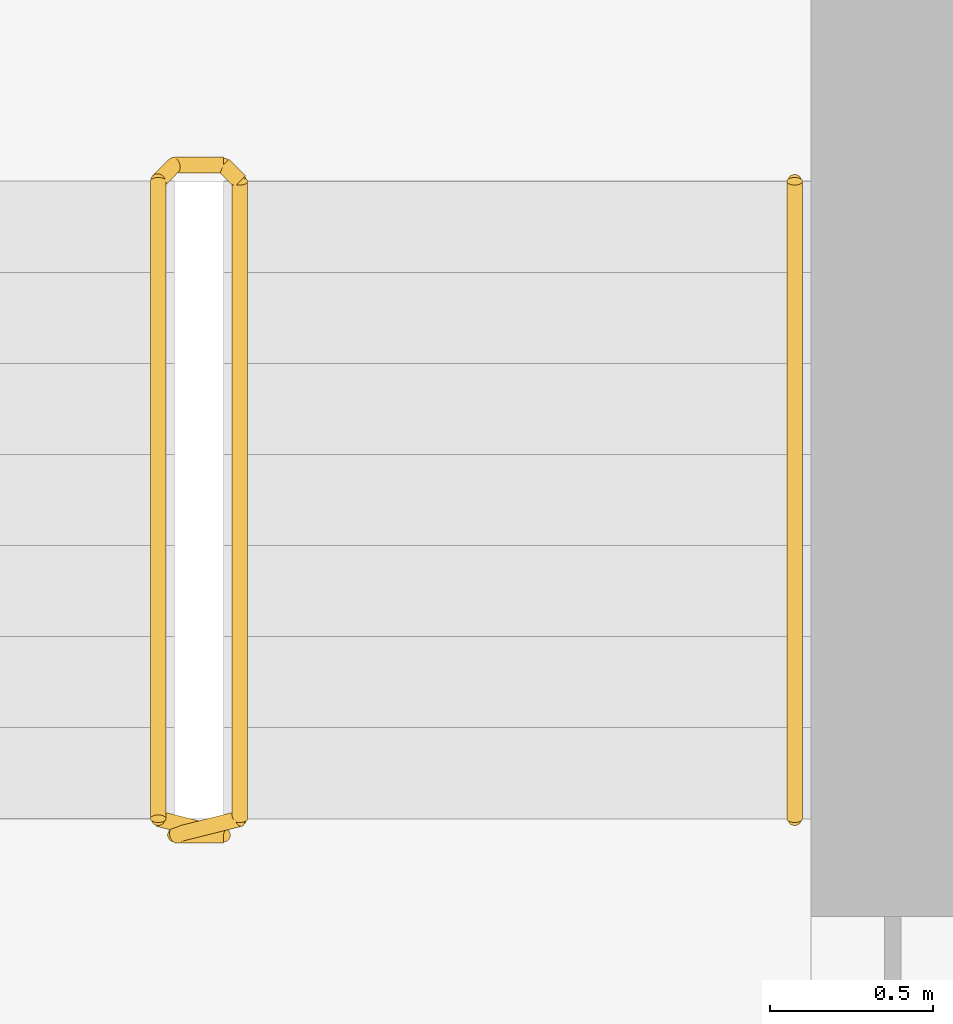
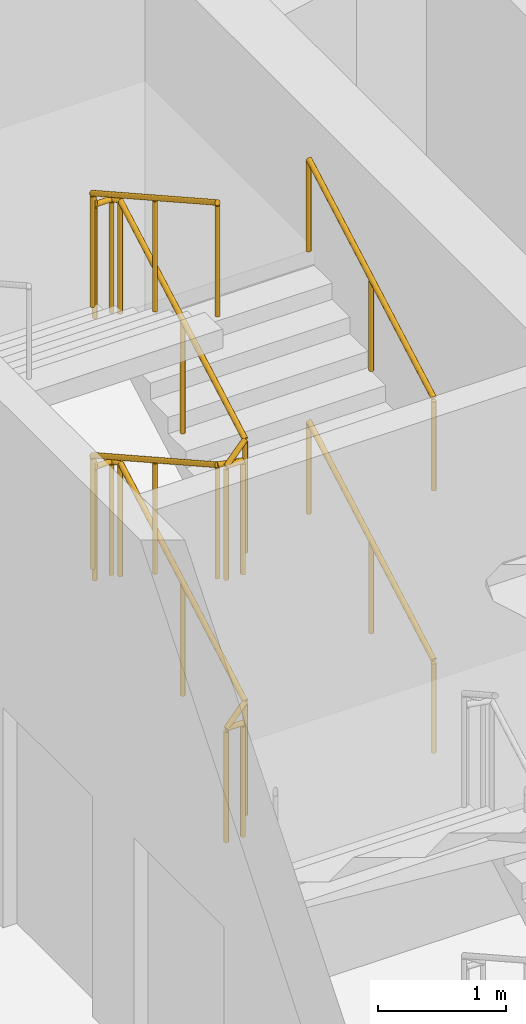
# One storey, part 9 of 9: 3 railings.
"""IFC4 building model written with IfcOpenShell, lengths in metres."""

from ifc_helpers import new_model, si_unit, direction, frame, origin, origin_2d, place, context, subcontext, project, spatial, circle, extrude, material, type_object, element, save


model = new_model("IFC4")

# Units and contexts
model_context = context("Model", 3, precision=1e-05, world=origin(), true_north=direction((0.0, 1.0)))
body_context = subcontext(model_context, "Body", "Model", "MODEL_VIEW")
ifc_project = project(units=[si_unit("LENGTHUNIT", "METRE"), si_unit("AREAUNIT", "SQUARE_METRE"), si_unit("VOLUMEUNIT", "CUBIC_METRE"), si_unit("PLANEANGLEUNIT", "RADIAN"), si_unit("MASSUNIT", "GRAM", prefix="KILO")], contexts=[model_context])

# Site, building, storey
site_placement = place(None, origin())
site = spatial("IfcSite", under=ifc_project, at=site_placement, CompositionType="ELEMENT")
building_placement = place(site_placement, origin())
building = spatial("IfcBuilding", under=site, at=building_placement, Name="Calabash Gate Tower", CompositionType="ELEMENT")
storey_placement = place(building_placement, frame((0.0, 0.0, 330.5)))
storey = spatial("IfcBuildingStorey", under=building, at=storey_placement, Name="L77", CompositionType="ELEMENT", Elevation=330.5)

# Railings
ifc_material_1 = material(Name="Black powder-coated steel balusters", Category="steel")
railing_type_1 = type_object("IfcRailingType", Name="Stair guard RL1100", PredefinedType="GUARDRAIL", material=ifc_material_1)
railing_placement = place(storey_placement, frame((10.300048828125, 13.902587890625, 0.0)))
element("IfcRailing", 1, at=railing_placement, inside=storey, type_object=railing_type_1, Name="L77 ST3 stair guard 1", PredefinedType="GUARDRAIL", context=body_context, shape_type="SweptSolid", body=[
    extrude(circle(Radius=0.02392578125, at=origin_2d()), frame((0.0, 0.0, 1.076171875), z_axis=(-1.0, 0.0, 0.0), x_axis=(0.0, -1.0, 0.0)), (0.0, 0.0, 1.0), 0.150146484375),
    extrude(circle(Radius=0.02392578125, at=origin_2d()), frame((-0.150146484375, 0.0, 1.076171875), z_axis=(0.773438643492, 0.193359660873, 0.603659429067), x_axis=(-0.242535625036, 0.970142500145, 0.0)), (0.0, 0.0, 1.0), 0.2587890625),
    extrude(circle(Radius=0.02392578125, at=origin_2d()), frame((0.050048828125, 0.050048828125, 1.232421875), z_axis=(0.0, 0.872479975208, 0.48864986735), x_axis=(-1.0, 0.0, 0.0)), (0.0, 0.0, 1.0), 2.23828125),
    extrude(circle(Radius=0.02392578125, at=origin_2d()), frame((0.050048828125, 2.0029296875, 2.326171875), z_axis=(-0.707106781187, 0.707106781187, 0.0), x_axis=(-0.707106781187, -0.707106781187, 0.0)), (0.0, 0.0, 1.0), 0.07080078125),
    extrude(circle(Radius=0.02392578125, at=origin_2d()), frame((0.0, 2.052978515625, 2.326171875), z_axis=(-1.0, 0.0, 0.0), x_axis=(0.0, -1.0, 0.0)), (0.0, 0.0, 1.0), 0.150146484375),
    extrude(circle(Radius=0.02392578125, at=origin_2d()), frame((-0.150146484375, 2.052978515625, 2.326171875), z_axis=(-0.290469530425, -0.291893400672, 0.911276958196), x_axis=(0.708833529934, -0.705375805398, 0.0)), (0.0, 0.0, 1.0), 0.17138671875),
    extrude(circle(Radius=0.02392578125, at=origin_2d()), frame((-0.199951171875, 2.0029296875, 2.482421875), z_axis=(0.0, -0.872479975208, 0.48864986735), x_axis=(1.0, 0.0, 0.0)), (0.0, 0.0, 1.0), 2.23828125),
    extrude(circle(Radius=0.02392578125, at=origin_2d()), frame((-0.199951171875, 0.050048828125, 3.576171875), z_axis=(0.970072785993, -0.242814311512, 0.0), x_axis=(0.242814311512, 0.970072785993, 0.0)), (0.0, 0.0, 1.0), 0.2060546875),
    extrude(circle(Radius=0.02392578125, at=origin_2d()), frame((0.0, 0.0, 3.576171875), z_axis=(-1.0, 0.0, 0.0), x_axis=(0.0, -1.0, 0.0)), (0.0, 0.0, 1.0), 0.150146484375),
    extrude(circle(Radius=0.02392578125, at=origin_2d()), frame((-0.150146484375, 0.0, 3.576171875), z_axis=(0.773438643492, 0.193359660873, 0.603659429067), x_axis=(-0.242535625036, 0.970142500145, 0.0)), (0.0, 0.0, 1.0), 0.2587890625),
    extrude(circle(Radius=0.02392578125, at=origin_2d()), frame((0.050048828125, 0.050048828125, 3.732421875), z_axis=(0.0, 0.872479975208, 0.48864986735), x_axis=(-1.0, 0.0, 0.0)), (0.0, 0.0, 1.0), 2.23828125),
    extrude(circle(Radius=0.02392578125, at=origin_2d()), frame((0.050048828125, 2.0029296875, 4.826171875), z_axis=(-0.707106781187, 0.707106781187, 0.0), x_axis=(-0.707106781187, -0.707106781187, 0.0)), (0.0, 0.0, 1.0), 0.07080078125),
    extrude(circle(Radius=0.02392578125, at=origin_2d()), frame((0.0, 2.052978515625, 4.826171875), z_axis=(-1.0, 0.0, 0.0), x_axis=(0.0, -1.0, 0.0)), (0.0, 0.0, 1.0), 0.150146484375),
    extrude(circle(Radius=0.02392578125, at=origin_2d()), frame((-0.150146484375, 2.052978515625, 4.826171875), z_axis=(-0.290469530425, -0.291893400672, 0.911276958196), x_axis=(0.708833529934, -0.705375805398, 0.0)), (0.0, 0.0, 1.0), 0.17138671875),
    extrude(circle(Radius=0.02392578125, at=origin_2d()), frame((-0.199951171875, 2.0029296875, 4.982421875), z_axis=(0.0, -0.872479975208, 0.48864986735), x_axis=(1.0, 0.0, 0.0)), (0.0, 0.0, 1.0), 2.23828125),
    extrude(circle(Radius=0.02099609375, at=origin_2d()), origin(), (0.0, 0.0, 1.0), 1.052001953125),
    extrude(circle(Radius=0.02099609375, at=origin_2d()), frame((-0.150146484375, 0.0, 0.0)), (0.0, 0.0, 1.0), 1.052001953125),
    extrude(circle(Radius=0.02099609375, at=origin_2d()), frame((0.050048828125, 0.050048828125, 0.15625)), (0.0, 0.0, 1.0), 1.052001953125),
    extrude(circle(Radius=0.02099609375, at=origin_2d()), frame((0.050048828125, 1.0263671875, 0.703125)), (0.0, 0.0, 1.0), 1.052001953125),
    extrude(circle(Radius=0.02099609375, at=origin_2d()), frame((0.050048828125, 2.0029296875, 1.25)), (0.0, 0.0, 1.0), 1.052001953125),
    extrude(circle(Radius=0.02099609375, at=origin_2d()), frame((0.0, 2.052978515625, 1.25)), (0.0, 0.0, 1.0), 1.052001953125),
    extrude(circle(Radius=0.02099609375, at=origin_2d()), frame((-0.150146484375, 2.052978515625, 1.25)), (0.0, 0.0, 1.0), 1.052001953125),
    extrude(circle(Radius=0.02099609375, at=origin_2d()), frame((-0.199951171875, 2.0029296875, 1.40625)), (0.0, 0.0, 1.0), 1.052001953125),
    extrude(circle(Radius=0.02099609375, at=origin_2d()), frame((-0.199951171875, 1.0263671875, 1.953125)), (0.0, 0.0, 1.0), 1.052001953125),
    extrude(circle(Radius=0.02099609375, at=origin_2d()), frame((-0.199951171875, 0.050048828125, 2.5)), (0.0, 0.0, 1.0), 1.052001953125),
    extrude(circle(Radius=0.02099609375, at=origin_2d()), frame((0.0, 0.0, 2.5)), (0.0, 0.0, 1.0), 1.052001953125),
    extrude(circle(Radius=0.02099609375, at=origin_2d()), frame((-0.150146484375, 0.0, 2.5)), (0.0, 0.0, 1.0), 1.052001953125),
    extrude(circle(Radius=0.02099609375, at=origin_2d()), frame((0.050048828125, 0.050048828125, 2.65625)), (0.0, 0.0, 1.0), 1.052001953125),
    extrude(circle(Radius=0.02099609375, at=origin_2d()), frame((0.050048828125, 1.0263671875, 3.203125)), (0.0, 0.0, 1.0), 1.052001953125),
    extrude(circle(Radius=0.02099609375, at=origin_2d()), frame((0.050048828125, 2.0029296875, 3.75)), (0.0, 0.0, 1.0), 1.052001953125),
    extrude(circle(Radius=0.02099609375, at=origin_2d()), frame((0.0, 2.052978515625, 3.75)), (0.0, 0.0, 1.0), 1.052001953125),
    extrude(circle(Radius=0.02099609375, at=origin_2d()), frame((-0.150146484375, 2.052978515625, 3.75)), (0.0, 0.0, 1.0), 1.052001953125),
    extrude(circle(Radius=0.02099609375, at=origin_2d()), frame((-0.199951171875, 2.0029296875, 3.90625)), (0.0, 0.0, 1.0), 1.052001953125),
    extrude(circle(Radius=0.02099609375, at=origin_2d()), frame((-0.199951171875, 1.0263671875, 4.453125)), (0.0, 0.0, 1.0), 1.052001953125),
    extrude(circle(Radius=0.02099609375, at=origin_2d()), frame((-0.199951171875, 0.050048828125, 5.0)), (0.0, 0.0, 1.0), 1.052001953125),
])
ifc_material_2 = material(Name="Black powder-coated steel tube 48 mm", Category="steel")
railing_type_2 = type_object("IfcRailingType", Name="Stair handrail RL900", PredefinedType="HANDRAIL", material=ifc_material_2)
for number, where, name in (
    (2, (12.050048828125, 13.95263671875, 0.15625), "L77 ST3 stair handrail 1"),
    (3, (12.050048828125, 13.95263671875, 2.65625), "L77 ST3 stair handrail 3"),
):
    element("IfcRailing", number, at=place(storey_placement, frame(where)), inside=storey, type_object=railing_type_2, Name=name, PredefinedType="HANDRAIL", context=body_context, shape_type="SweptSolid", body=[
        extrude(circle(Radius=0.02392578125, at=origin_2d()), frame((0.0, 0.0, 0.8759765625), z_axis=(0.0, 0.872479975208, 0.48864986735), x_axis=(-1.0, 0.0, 0.0)), (0.0, 0.0, 1.0), 2.23828125),
        extrude(circle(Radius=0.02099609375, at=origin_2d()), origin(), (0.0, 0.0, 1.0), 0.851806640625),
        extrude(circle(Radius=0.02099609375, at=origin_2d()), frame((0.0, 0.9765625, 0.546875)), (0.0, 0.0, 1.0), 0.851806640625),
        extrude(circle(Radius=0.02099609375, at=origin_2d()), frame((0.0, 1.952880859375, 1.09375)), (0.0, 0.0, 1.0), 0.851806640625),
    ])

save(model, "model.ifc")
